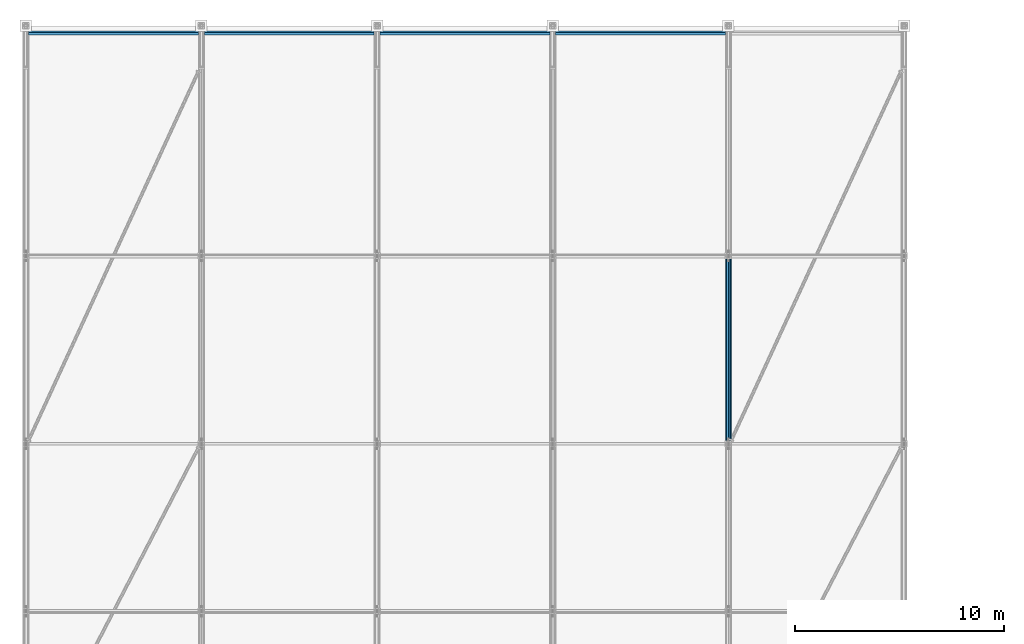
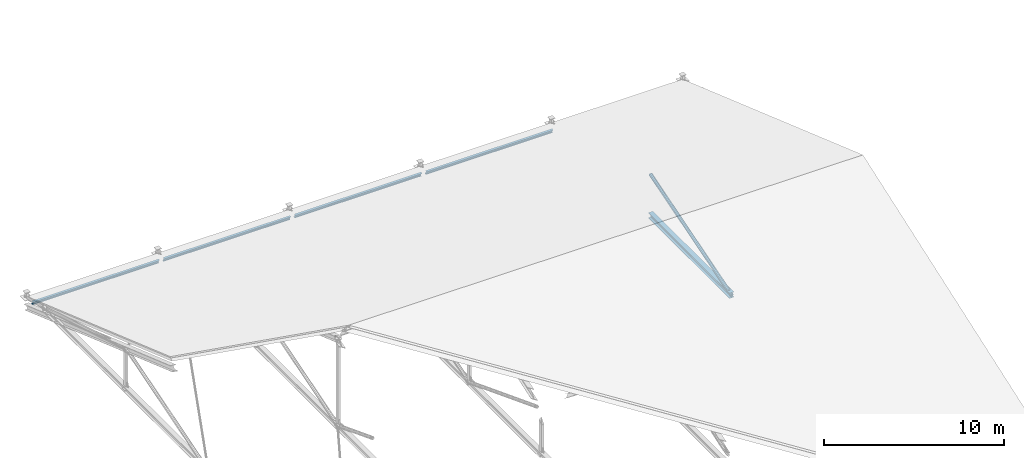
# One storey, part 17 of 57: 6 members.
"""IFC4 building model written with IfcOpenShell, lengths in metres."""

from ifc_helpers import new_model, si_unit, direction, frame, origin, origin_2d, place, context, subcontext, project, spatial, hollow_circle, i_section, extrude, material, material_profile, profile_set, type_object, element, save


model = new_model("IFC4")

# Units and contexts
model_context = context("Model", 3, precision=1e-05, world=origin(), true_north=direction((0.0, 1.0)))
body_context = subcontext(model_context, "Body", "Model", "MODEL_VIEW")
ifc_project = project(units=[si_unit("LENGTHUNIT", "METRE"), si_unit("AREAUNIT", "SQUARE_METRE"), si_unit("VOLUMEUNIT", "CUBIC_METRE"), si_unit("PLANEANGLEUNIT", "RADIAN"), si_unit("MASSUNIT", "GRAM", prefix="KILO")], contexts=[model_context])

# Site, building, storey
site_placement = place(None, origin())
site = spatial("IfcSite", under=ifc_project, at=site_placement, CompositionType="ELEMENT")
building_placement = place(site_placement, origin())
building = spatial("IfcBuilding", under=site, at=building_placement, Name="Kelarvand Opera House", CompositionType="ELEMENT")
storey_placement = place(building_placement, frame((0.0, 0.0, 33.60009765625)))
storey = spatial("IfcBuildingStorey", under=building, at=storey_placement, Name="Roof", CompositionType="ELEMENT", Elevation=33.60009765625)

# Members
ifc_material = material(Name="Steel S355", Category="steel")
ifc_material_profile_1 = material_profile(ifc_material, hollow_circle(Radius=0.109619140625, WallThickness=0.010009765625, at=origin_2d()), Name="CHS 219.1x10.0", Category="steel")
ifc_profile_set_1 = profile_set([ifc_material_profile_1], Name="Steel S355")
member_type_1 = type_object("IfcMemberType", Name="Structural Brace CHS 219.1x10.0 BR-CHS219", PredefinedType="BRACE", material=ifc_profile_set_1)
member_1_placement = place(storey_placement, frame((42.60009765625, 105.0, -13.580078125), z_axis=(0.0, 0.957023749403, 0.290009556874), x_axis=(-1.0, 0.0, 0.0)))
element("IfcMember", 1, at=member_1_placement, inside=storey, type_object=member_type_1, Name="V3 Roof Truss 5 Web Diagonal 3", PredefinedType="BRACE", context=body_context, shape_type="SweptSolid", body=[
    extrude(hollow_circle(Radius=0.109619140625, WallThickness=0.010009765625, at=origin_2d()), origin(), (0.0, 0.0, 1.0), 9.404052734375),
])
ifc_material_profile_2 = material_profile(ifc_material, i_section(OverallWidth=0.300048828125, OverallDepth=0.360107421875, WebThickness=0.012451171875, FlangeThickness=0.0224609375, at=origin_2d()), Name="HEB 360", Category="steel")
ifc_profile_set_2 = profile_set([ifc_material_profile_2], Name="Steel S355")
member_type_2 = type_object("IfcMemberType", Name="Structural Chord HEB 360 CH-HEB360", PredefinedType="CHORD", material=ifc_profile_set_2)
member_2_placement = place(storey_placement, frame((42.60009765625, 105.0, -13.580078125), z_axis=(0.0, 1.0, 0.0), x_axis=(-1.0, 0.0, 0.0)))
element("IfcMember", 2, at=member_2_placement, inside=storey, type_object=member_type_2, Name="V3 Roof Truss 5 Bottom Chord 3", PredefinedType="CHORD", context=body_context, shape_type="SweptSolid", body=[
    extrude(i_section(OverallWidth=0.300048828125, OverallDepth=0.360107421875, WebThickness=0.012451171875, FlangeThickness=0.0224609375, at=origin_2d()), origin(), (0.0, 0.0, 1.0), 9.0),
])
ifc_material_profile_3 = material_profile(ifc_material, i_section(OverallWidth=0.1201171875, OverallDepth=0.239990234375, WebThickness=0.006103515625, FlangeThickness=0.009765625, at=origin_2d()), Name="IPE 240", Category="steel")
ifc_profile_set_3 = profile_set([ifc_material_profile_3], Name="Steel S355")
member_type_3 = type_object("IfcMemberType", Name="Structural Purlin IPE 240 PR-IPE240", PredefinedType="PURLIN", material=ifc_profile_set_3)
member_3_placement = place(storey_placement, frame((9.139892578125, 124.64990234375, -14.304443359375), z_axis=(1.0, 0.0, 0.0), x_axis=(0.0, 0.943858622852, 0.330349663339)))
element("IfcMember", 3, at=member_3_placement, inside=storey, type_object=member_type_3, Name="V3 Roof Purlin 1.6", PredefinedType="PURLIN", context=body_context, shape_type="SweptSolid", body=[
    extrude(i_section(OverallWidth=0.1201171875, OverallDepth=0.239990234375, WebThickness=0.006103515625, FlangeThickness=0.009765625, at=origin_2d()), origin(), (0.0, 0.0, 1.0), 8.1201171875),
])
member_4_placement = place(storey_placement, frame((17.5400390625, 124.64990234375, -14.304443359375), z_axis=(1.0, 0.0, 0.0), x_axis=(0.0, 0.943858622852, 0.330349663339)))
element("IfcMember", 4, at=member_4_placement, inside=storey, type_object=member_type_3, Name="V3 Roof Purlin 2.6", PredefinedType="PURLIN", context=body_context, shape_type="SweptSolid", body=[
    extrude(i_section(OverallWidth=0.1201171875, OverallDepth=0.239990234375, WebThickness=0.006103515625, FlangeThickness=0.009765625, at=origin_2d()), origin(), (0.0, 0.0, 1.0), 8.119873046875),
])
member_5_placement = place(storey_placement, frame((25.93994140625, 124.64990234375, -14.304443359375), z_axis=(1.0, 0.0, 0.0), x_axis=(0.0, 0.943858622852, 0.330349663339)))
element("IfcMember", 5, at=member_5_placement, inside=storey, type_object=member_type_3, Name="V3 Roof Purlin 3.6", PredefinedType="PURLIN", context=body_context, shape_type="SweptSolid", body=[
    extrude(i_section(OverallWidth=0.1201171875, OverallDepth=0.239990234375, WebThickness=0.006103515625, FlangeThickness=0.009765625, at=origin_2d()), origin(), (0.0, 0.0, 1.0), 8.1201171875),
])
member_6_placement = place(storey_placement, frame((34.340087890625, 124.64990234375, -14.304443359375), z_axis=(1.0, 0.0, 0.0), x_axis=(0.0, 0.943858622852, 0.330349663339)))
element("IfcMember", 6, at=member_6_placement, inside=storey, type_object=member_type_3, Name="V3 Roof Purlin 4.6", PredefinedType="PURLIN", context=body_context, shape_type="SweptSolid", body=[
    extrude(i_section(OverallWidth=0.1201171875, OverallDepth=0.239990234375, WebThickness=0.006103515625, FlangeThickness=0.009765625, at=origin_2d()), origin(), (0.0, 0.0, 1.0), 8.119873046875),
])

save(model, "model.ifc")
